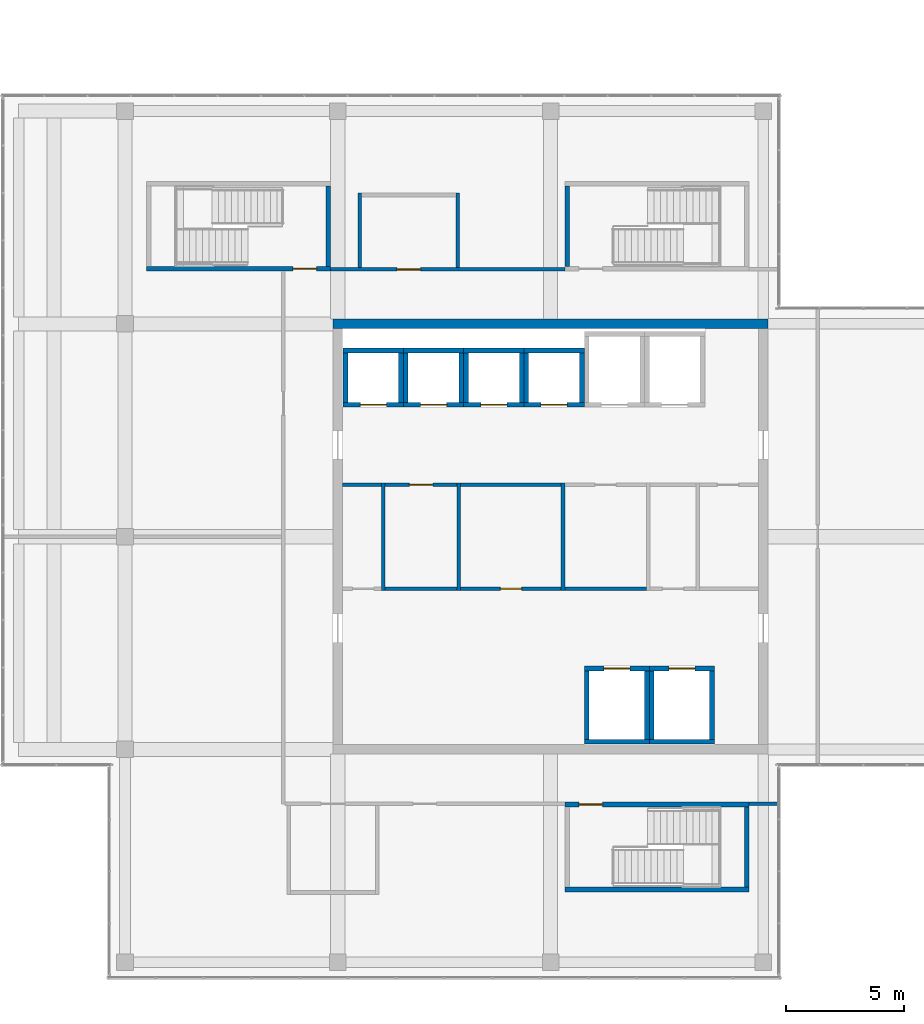
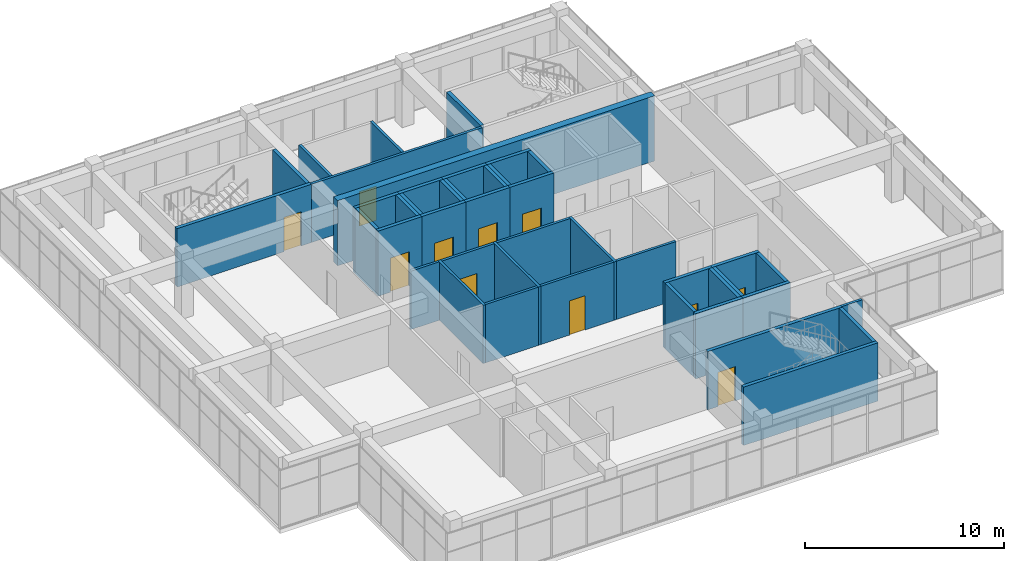
# One storey, part 29 of 32: 44 walls, 11 doors, 11 openings.
"""IFC4 building model written with IfcOpenShell, lengths in metres."""

from ifc_helpers import new_model, si_unit, direction, frame, frame_2d, origin, place, context, subcontext, project, spatial, rectangle, extrude, material, layer, layer_set, type_object, element, fill, save


model = new_model("IFC4")

# Units and contexts
model_context = context("Model", 3, precision=1e-05, world=origin(), true_north=direction((0.0, 1.0)))
body_context = subcontext(model_context, "Body", "Model", "MODEL_VIEW")
ifc_project = project(units=[si_unit("LENGTHUNIT", "METRE"), si_unit("AREAUNIT", "SQUARE_METRE"), si_unit("VOLUMEUNIT", "CUBIC_METRE"), si_unit("PLANEANGLEUNIT", "RADIAN"), si_unit("MASSUNIT", "GRAM", prefix="KILO")], contexts=[model_context])

# Site, building, storey
site_placement = place(None, origin())
site = spatial("IfcSite", under=ifc_project, at=site_placement, CompositionType="ELEMENT")
building_placement = place(site_placement, origin())
building = spatial("IfcBuilding", under=site, at=building_placement, Name="Tuart Plaza Theatre", CompositionType="ELEMENT")
storey_placement = place(building_placement, frame((0.0, 0.0, 37.5)))
storey = spatial("IfcBuildingStorey", under=building, at=storey_placement, Name="L09", CompositionType="ELEMENT", Elevation=37.5)

# Walls
ifc_material_1 = material(Name="Masonry block", Category="masonry")
ifc_layer_1 = layer(ifc_material_1, 0.14990234375)
ifc_layer_set_1 = layer_set([ifc_layer_1], Name="PARTITION BLK150 MASONRYB FRL -/120/120")
wall_type_1 = type_object("IfcWallType", Name="PARTITION BLK150 MASONRYB FRL -/120/120", PredefinedType="PARTITIONING", material=ifc_layer_set_1)
wall_1_placement = place(storey_placement, frame((124.925048828125, 71.72509765625, 0.0), z_axis=(0.0, 0.0, 1.0), x_axis=(0.0, 1.0, 0.0)))
element("IfcWall", 1, at=wall_1_placement, inside=storey, type_object=wall_type_1, Name="P636", PredefinedType="PARTITIONING", context=body_context, shape_type="SweptSolid", body=[
    extrude(rectangle(XDim=4.5498046875, YDim=0.14990234375, at=frame_2d((2.27490234375, 0.0))), origin(), (0.0, 0.0, 1.0), 3.580078125),
])
wall_2_placement = place(storey_placement, frame((123.199951171875, 76.199951171875, 0.0), z_axis=(0.0, 0.0, 1.0), x_axis=(1.0, 0.0, 0.0)))
element("IfcWall", 2, at=wall_2_placement, inside=storey, type_object=wall_type_1, Name="P638", PredefinedType="PARTITIONING", context=body_context, shape_type="SweptSolid", body=[
    extrude(rectangle(XDim=1.650146484375, YDim=0.14990234375, at=frame_2d((0.8251953125, 0.0))), origin(), (0.0, 0.0, 1.0), 3.580078125),
])
wall_3_placement = place(storey_placement, frame((128.125, 71.72509765625, 0.0), z_axis=(0.0, 0.0, 1.0), x_axis=(0.0, 1.0, 0.0)))
element("IfcWall", 3, at=wall_3_placement, inside=storey, type_object=wall_type_1, Name="P639", PredefinedType="PARTITIONING", context=body_context, shape_type="SweptSolid", body=[
    extrude(rectangle(XDim=4.5498046875, YDim=0.14990234375, at=frame_2d((2.27490234375, 0.0))), origin(), (0.0, 0.0, 1.0), 3.580078125),
])
wall_4_placement = place(storey_placement, frame((125.0, 71.800048828125, 0.0), z_axis=(0.0, 0.0, 1.0), x_axis=(1.0, 0.0, 0.0)))
element("IfcWall", 4, at=wall_4_placement, inside=storey, type_object=wall_type_1, Name="P640", PredefinedType="PARTITIONING", context=body_context, shape_type="SweptSolid", body=[
    extrude(rectangle(XDim=3.050048828125, YDim=0.14990234375, at=frame_2d((1.52490234375, 0.0))), origin(), (0.0, 0.0, 1.0), 3.580078125),
])

# Wall, opening, door
wall_5_placement = place(storey_placement, frame((125.0, 76.199951171875, 0.0), z_axis=(0.0, 0.0, 1.0), x_axis=(1.0, 0.0, 0.0)))
wall_5 = element("IfcWall", 5, at=wall_5_placement, inside=storey, type_object=wall_type_1, Name="P641", PredefinedType="PARTITIONING", context=body_context, shape_type="SweptSolid", body=[
    extrude(rectangle(XDim=3.050048828125, YDim=0.14990234375, at=frame_2d((1.52490234375, 0.0))), origin(), (0.0, 0.0, 1.0), 3.580078125),
])
opening_1_placement = place(wall_5_placement, frame((1.02490234375, 0.0, 0.0)))
opening_1 = element("IfcOpeningElement", 6, at=opening_1_placement, cuts=wall_5, Name="Opening L09-017", PredefinedType="OPENING", context=body_context, shape_type="SweptSolid", body=[
    extrude(rectangle(XDim=1.0, YDim=2.10009765625, at=frame_2d((0.5, 1.050048828125))), frame((0.0, 0.0849609375, 0.0), z_axis=(0.0, -1.0, 0.0), x_axis=(1.0, 0.0, 0.0)), (0.0, 0.0, 1.0), 0.169921875),
])
ifc_material_2 = material(Name="Steel Grade 300", Category="steel")
door_type_1 = type_object("IfcDoorType", Name="DOOR 1000x2100 steel single swing FRL -/120/30", OperationType="SINGLE_SWING_LEFT", PredefinedType="DOOR", material=ifc_material_2)
door_1_placement = place(opening_1_placement, frame((1.0, 0.0, 0.0), z_axis=(0.0, 0.0, 1.0), x_axis=(-1.0, 0.0, 0.0)))
door_1 = element("IfcDoor", 7, at=door_1_placement, inside=storey, type_object=door_type_1, Name="L09-017", OperationType="SINGLE_SWING_LEFT", OverallHeight=2.10009765625, OverallWidth=1.0, PredefinedType="DOOR", context=body_context, shape_type="SweptSolid", body=[
    extrude(rectangle(XDim=1.0, YDim=2.10009765625, at=frame_2d((0.5, 1.050048828125))), frame((0.0, 0.02490234375, 0.0), z_axis=(0.0, -1.0, 0.0), x_axis=(1.0, 0.0, 0.0)), (0.0, 0.0, 1.0), 0.050048828125),
])
fill(opening_1, door_1)

# Wall
wall_6_placement = place(storey_placement, frame((132.52490234375, 71.72509765625, 0.0), z_axis=(0.0, 0.0, 1.0), x_axis=(0.0, 1.0, 0.0)))
element("IfcWall", 8, at=wall_6_placement, inside=storey, type_object=wall_type_1, Name="P642", PredefinedType="PARTITIONING", context=body_context, shape_type="SweptSolid", body=[
    extrude(rectangle(XDim=4.5498046875, YDim=0.14990234375, at=frame_2d((2.27490234375, 0.0))), origin(), (0.0, 0.0, 1.0), 3.580078125),
])

# Wall, opening, door
wall_7_placement = place(storey_placement, frame((128.199951171875, 71.800048828125, 0.0), z_axis=(0.0, 0.0, 1.0), x_axis=(1.0, 0.0, 0.0)))
wall_7 = element("IfcWall", 9, at=wall_7_placement, inside=storey, type_object=wall_type_1, Name="P643", PredefinedType="PARTITIONING", context=body_context, shape_type="SweptSolid", body=[
    extrude(rectangle(XDim=4.25, YDim=0.14990234375, at=frame_2d((2.125, 0.0))), origin(), (0.0, 0.0, 1.0), 3.580078125),
])
opening_2_placement = place(wall_7_placement, frame((1.675048828125, 0.0, 0.0)))
opening_2 = element("IfcOpeningElement", 10, at=opening_2_placement, cuts=wall_7, Name="Opening L09-018", PredefinedType="OPENING", context=body_context, shape_type="SweptSolid", body=[
    extrude(rectangle(XDim=0.89990234375, YDim=2.10009765625, at=frame_2d((0.449951171875, 1.050048828125))), frame((0.0, 0.0849609375, 0.0), z_axis=(0.0, -1.0, 0.0), x_axis=(1.0, 0.0, 0.0)), (0.0, 0.0, 1.0), 0.169921875),
])
ifc_material_3 = material(Name="Steel Grade 300", Category="steel")
door_type_2 = type_object("IfcDoorType", Name="DOOR 900x2100 steel single swing FRL -/120/30", OperationType="SINGLE_SWING_LEFT", PredefinedType="DOOR", material=ifc_material_3)
door_2_placement = place(opening_2_placement, origin())
door_2 = element("IfcDoor", 11, at=door_2_placement, inside=storey, type_object=door_type_2, Name="L09-018", OperationType="SINGLE_SWING_RIGHT", OverallHeight=2.10009765625, OverallWidth=0.89990234375, PredefinedType="DOOR", context=body_context, shape_type="SweptSolid", body=[
    extrude(rectangle(XDim=0.89990234375, YDim=2.10009765625, at=frame_2d((0.449951171875, 1.050048828125))), frame((0.0, 0.02490234375, 0.0), z_axis=(0.0, -1.0, 0.0), x_axis=(1.0, 0.0, 0.0)), (0.0, 0.0, 1.0), 0.050048828125),
])
fill(opening_2, door_2)

# Walls
wall_8_placement = place(storey_placement, frame((128.199951171875, 76.199951171875, 0.0), z_axis=(0.0, 0.0, 1.0), x_axis=(1.0, 0.0, 0.0)))
element("IfcWall", 12, at=wall_8_placement, inside=storey, type_object=wall_type_1, Name="P644", PredefinedType="PARTITIONING", context=body_context, shape_type="SweptSolid", body=[
    extrude(rectangle(XDim=4.25, YDim=0.14990234375, at=frame_2d((2.125, 0.0))), origin(), (0.0, 0.0, 1.0), 3.580078125),
])
wall_9_placement = place(storey_placement, frame((132.60009765625, 71.800048828125, 0.0), z_axis=(0.0, 0.0, 1.0), x_axis=(1.0, 0.0, 0.0)))
element("IfcWall", 13, at=wall_9_placement, inside=storey, type_object=wall_type_1, Name="P646", PredefinedType="PARTITIONING", context=body_context, shape_type="SweptSolid", body=[
    extrude(rectangle(XDim=3.449951171875, YDim=0.14990234375, at=frame_2d((1.72509765625, 0.0))), origin(), (0.0, 0.0, 1.0), 3.580078125),
])
ifc_material_4 = material(Name="Masonry block", Category="masonry")
ifc_layer_2 = layer(ifc_material_4, 0.14990234375)
ifc_layer_set_2 = layer_set([ifc_layer_2], Name="PARTITION BLK150 MASONRYB FRL 120/-/-")
wall_type_2 = type_object("IfcWallType", Name="PARTITION BLK150 MASONRYB FRL 120/-/-", PredefinedType="PARTITIONING", material=ifc_layer_set_2)
wall_10_placement = place(storey_placement, frame((141.60009765625, 62.699951171875, 0.0), z_axis=(0.0, 0.0, 1.0), x_axis=(-1.0, 0.0, 0.0)))
element("IfcWall", 14, at=wall_10_placement, inside=storey, type_object=wall_type_2, Name="P655", PredefinedType="PARTITIONING", context=body_context, shape_type="SweptSolid", body=[
    extrude(rectangle(XDim=1.2001953125, YDim=0.14990234375, at=frame_2d((0.60009765625, 0.0))), origin(), (0.0, 0.0, 1.0), 3.580078125),
])

# Wall, opening, door
wall_11_placement = place(storey_placement, frame((122.699951171875, 85.300048828125, 0.0), z_axis=(0.0, 0.0, 1.0), x_axis=(1.0, 0.0, 0.0)))
wall_11 = element("IfcWall", 15, at=wall_11_placement, inside=storey, type_object=wall_type_2, Name="P657", PredefinedType="PARTITIONING", context=body_context, shape_type="SweptSolid", body=[
    extrude(rectangle(XDim=9.900146484375, YDim=0.14990234375, at=frame_2d((4.9501953125, 0.0))), origin(), (0.0, 0.0, 1.0), 3.580078125),
])
opening_3_placement = place(wall_11_placement, frame((2.800048828125, 0.0, 0.0)))
opening_3 = element("IfcOpeningElement", 16, at=opening_3_placement, cuts=wall_11, Name="Opening L09-023", PredefinedType="OPENING", context=body_context, shape_type="SweptSolid", body=[
    extrude(rectangle(XDim=1.0, YDim=2.10009765625, at=frame_2d((0.5, 1.050048828125))), frame((0.0, 0.0849609375, 0.0), z_axis=(0.0, -1.0, 0.0), x_axis=(1.0, 0.0, 0.0)), (0.0, 0.0, 1.0), 0.169921875),
])
ifc_material_5 = material(Name="Timber", Category="wood")
door_type_3 = type_object("IfcDoorType", Name="DOOR 1000x2100 timber single swing FRL -/60/30", OperationType="SINGLE_SWING_LEFT", PredefinedType="DOOR", material=ifc_material_5)
door_3_placement = place(opening_3_placement, origin())
door_3 = element("IfcDoor", 17, at=door_3_placement, inside=storey, type_object=door_type_3, Name="L09-023", OperationType="SINGLE_SWING_LEFT", OverallHeight=2.10009765625, OverallWidth=1.0, PredefinedType="DOOR", context=body_context, shape_type="SweptSolid", body=[
    extrude(rectangle(XDim=1.0, YDim=2.10009765625, at=frame_2d((0.5, 1.050048828125))), frame((0.0, 0.02490234375, 0.0), z_axis=(0.0, -1.0, 0.0), x_axis=(1.0, 0.0, 0.0)), (0.0, 0.0, 1.0), 0.050048828125),
])
fill(opening_3, door_3)

# Walls
for number, where, z_axis, x_axis, name in (
    (18, (123.925048828125, 85.375, 0.0), (0.0, 0.0, 1.0), (0.0, 1.0, 0.0), "P664"),
    (19, (128.074951171875, 85.375, 0.0), (0.0, 0.0, 1.0), (0.0, 1.0, 0.0), "P665"),
):
    element("IfcWall", number, at=place(storey_placement, frame(where, z_axis=z_axis, x_axis=x_axis)), inside=storey, type_object=wall_type_2, Name=name, PredefinedType="PARTITIONING", context=body_context, shape_type="SweptSolid", body=[
        extrude(rectangle(XDim=3.14990234375, YDim=0.14990234375, at=frame_2d((1.574951171875, 0.0))), origin(), (0.0, 0.0, 1.0), 3.580078125),
    ])

# Wall, opening, door
ifc_material_6 = material(Name="Concrete N40 (40 MPa)", Category="concrete")
ifc_layer_3 = layer(ifc_material_6, 0.199951171875)
ifc_layer_set_3 = layer_set([ifc_layer_3], Name="SHEAR WALL RC200 FRL 120/120/120")
wall_type_3 = type_object("IfcWallType", Name="SHEAR WALL RC200 FRL 120/120/120", PredefinedType="SHEAR", material=ifc_layer_set_3)
wall_12_placement = place(storey_placement, frame((123.22509765625, 79.574951171875, 0.0), z_axis=(0.0, 0.0, 1.0), x_axis=(1.0, 0.0, 0.0)))
wall_12 = element("IfcWall", 20, at=wall_12_placement, inside=storey, type_object=wall_type_3, Name="W762", PredefinedType="SHEAR", context=body_context, shape_type="SweptSolid", body=[
    extrude(rectangle(XDim=2.5498046875, YDim=0.199951171875, at=frame_2d((1.27490234375, 0.0))), origin(), (0.0, 0.0, 1.0), 4.0),
])
opening_4_placement = place(wall_12_placement, frame((0.72509765625, 0.0, 0.0)))
opening_4 = element("IfcOpeningElement", 21, at=opening_4_placement, cuts=wall_12, Name="Opening L09-001", PredefinedType="OPENING", context=body_context, shape_type="SweptSolid", body=[
    extrude(rectangle(XDim=1.10009765625, YDim=2.10009765625, at=frame_2d((0.550048828125, 1.050048828125))), frame((0.0, 0.10986328125, 0.0), z_axis=(0.0, -1.0, 0.0), x_axis=(1.0, 0.0, 0.0)), (0.0, 0.0, 1.0), 0.219970703125),
])
ifc_material_7 = material(Name="Steel Grade 300", Category="steel")
door_type_4 = type_object("IfcDoorType", Name="LANDING DOOR 1100x2100 steel sliding FRL -/120/30", OperationType="SLIDING_TO_LEFT", PredefinedType="DOOR", material=ifc_material_7)
door_4_placement = place(opening_4_placement, origin())
door_4 = element("IfcDoor", 22, at=door_4_placement, inside=storey, type_object=door_type_4, Name="L09-001", OperationType="SLIDING_TO_LEFT", OverallHeight=2.10009765625, OverallWidth=1.10009765625, PredefinedType="DOOR", context=body_context, shape_type="SweptSolid", body=[
    extrude(rectangle(XDim=1.10009765625, YDim=2.10009765625, at=frame_2d((0.550048828125, 1.050048828125))), frame((0.0, 0.02490234375, 0.0), z_axis=(0.0, -1.0, 0.0), x_axis=(1.0, 0.0, 0.0)), (0.0, 0.0, 1.0), 0.050048828125),
])
fill(opening_4, door_4)

# Walls
wall_13_placement = place(storey_placement, frame((125.675048828125, 79.675048828125, 0.0), z_axis=(0.0, 0.0, 1.0), x_axis=(0.0, 1.0, 0.0)))
element("IfcWall", 23, at=wall_13_placement, inside=storey, type_object=wall_type_3, Name="W763", PredefinedType="SHEAR", context=body_context, shape_type="SweptSolid", body=[
    extrude(rectangle(XDim=2.099853515625, YDim=0.199951171875, at=frame_2d((1.0498046875, 0.0))), origin(), (0.0, 0.0, 1.0), 4.0),
])
wall_14_placement = place(storey_placement, frame((125.77490234375, 81.875, 0.0), z_axis=(0.0, 0.0, 1.0), x_axis=(-1.0, 0.0, 0.0)))
element("IfcWall", 24, at=wall_14_placement, inside=storey, type_object=wall_type_3, Name="W764", PredefinedType="SHEAR", context=body_context, shape_type="SweptSolid", body=[
    extrude(rectangle(XDim=2.5498046875, YDim=0.199951171875, at=frame_2d((1.27490234375, 0.0))), origin(), (0.0, 0.0, 1.0), 4.0),
])
wall_15_placement = place(storey_placement, frame((123.324951171875, 81.77490234375, 0.0), z_axis=(0.0, 0.0, 1.0), x_axis=(0.0, -1.0, 0.0)))
element("IfcWall", 25, at=wall_15_placement, inside=storey, type_object=wall_type_3, Name="W765", PredefinedType="SHEAR", context=body_context, shape_type="SweptSolid", body=[
    extrude(rectangle(XDim=2.099853515625, YDim=0.199951171875, at=frame_2d((1.0498046875, 0.0))), origin(), (0.0, 0.0, 1.0), 4.0),
])

# Wall, opening, door
wall_16_placement = place(storey_placement, frame((125.77490234375, 79.574951171875, 0.0), z_axis=(0.0, 0.0, 1.0), x_axis=(1.0, 0.0, 0.0)))
wall_16 = element("IfcWall", 26, at=wall_16_placement, inside=storey, type_object=wall_type_3, Name="W834", PredefinedType="SHEAR", context=body_context, shape_type="SweptSolid", body=[
    extrude(rectangle(XDim=2.550048828125, YDim=0.199951171875, at=frame_2d((1.27490234375, 0.0))), origin(), (0.0, 0.0, 1.0), 4.0),
])
opening_5_placement = place(wall_16_placement, frame((0.72509765625, 0.0, 0.0)))
opening_5 = element("IfcOpeningElement", 27, at=opening_5_placement, cuts=wall_16, Name="Opening L09-002", PredefinedType="OPENING", context=body_context, shape_type="SweptSolid", body=[
    extrude(rectangle(XDim=1.10009765625, YDim=2.10009765625, at=frame_2d((0.550048828125, 1.050048828125))), frame((0.0, 0.10986328125, 0.0), z_axis=(0.0, -1.0, 0.0), x_axis=(1.0, 0.0, 0.0)), (0.0, 0.0, 1.0), 0.219970703125),
])
door_5_placement = place(opening_5_placement, origin())
door_5 = element("IfcDoor", 28, at=door_5_placement, inside=storey, type_object=door_type_4, Name="L09-002", OperationType="SLIDING_TO_LEFT", OverallHeight=2.10009765625, OverallWidth=1.10009765625, PredefinedType="DOOR", context=body_context, shape_type="SweptSolid", body=[
    extrude(rectangle(XDim=1.10009765625, YDim=2.10009765625, at=frame_2d((0.550048828125, 1.050048828125))), frame((0.0, 0.02490234375, 0.0), z_axis=(0.0, -1.0, 0.0), x_axis=(1.0, 0.0, 0.0)), (0.0, 0.0, 1.0), 0.050048828125),
])
fill(opening_5, door_5)

# Walls
wall_17_placement = place(storey_placement, frame((128.22509765625, 79.675048828125, 0.0), z_axis=(0.0, 0.0, 1.0), x_axis=(0.0, 1.0, 0.0)))
element("IfcWall", 29, at=wall_17_placement, inside=storey, type_object=wall_type_3, Name="W835", PredefinedType="SHEAR", context=body_context, shape_type="SweptSolid", body=[
    extrude(rectangle(XDim=2.099853515625, YDim=0.199951171875, at=frame_2d((1.0498046875, 0.0))), origin(), (0.0, 0.0, 1.0), 4.0),
])
wall_18_placement = place(storey_placement, frame((128.324951171875, 81.875, 0.0), z_axis=(0.0, 0.0, 1.0), x_axis=(-1.0, 0.0, 0.0)))
element("IfcWall", 30, at=wall_18_placement, inside=storey, type_object=wall_type_3, Name="W836", PredefinedType="SHEAR", context=body_context, shape_type="SweptSolid", body=[
    extrude(rectangle(XDim=2.550048828125, YDim=0.199951171875, at=frame_2d((1.27490234375, 0.0))), origin(), (0.0, 0.0, 1.0), 4.0),
])
wall_19_placement = place(storey_placement, frame((125.875, 81.77490234375, 0.0), z_axis=(0.0, 0.0, 1.0), x_axis=(0.0, -1.0, 0.0)))
element("IfcWall", 31, at=wall_19_placement, inside=storey, type_object=wall_type_3, Name="W837", PredefinedType="SHEAR", context=body_context, shape_type="SweptSolid", body=[
    extrude(rectangle(XDim=2.099853515625, YDim=0.199951171875, at=frame_2d((1.0498046875, 0.0))), origin(), (0.0, 0.0, 1.0), 4.0),
])

# Wall, opening, door
wall_20_placement = place(storey_placement, frame((128.324951171875, 79.574951171875, 0.0), z_axis=(0.0, 0.0, 1.0), x_axis=(1.0, 0.0, 0.0)))
wall_20 = element("IfcWall", 32, at=wall_20_placement, inside=storey, type_object=wall_type_3, Name="W906", PredefinedType="SHEAR", context=body_context, shape_type="SweptSolid", body=[
    extrude(rectangle(XDim=2.550048828125, YDim=0.199951171875, at=frame_2d((1.27490234375, 0.0))), origin(), (0.0, 0.0, 1.0), 4.0),
])
opening_6_placement = place(wall_20_placement, frame((0.72509765625, 0.0, 0.0)))
opening_6 = element("IfcOpeningElement", 33, at=opening_6_placement, cuts=wall_20, Name="Opening L09-003", PredefinedType="OPENING", context=body_context, shape_type="SweptSolid", body=[
    extrude(rectangle(XDim=1.10009765625, YDim=2.10009765625, at=frame_2d((0.550048828125, 1.050048828125))), frame((0.0, 0.10986328125, 0.0), z_axis=(0.0, -1.0, 0.0), x_axis=(1.0, 0.0, 0.0)), (0.0, 0.0, 1.0), 0.219970703125),
])
door_6_placement = place(opening_6_placement, origin())
door_6 = element("IfcDoor", 34, at=door_6_placement, inside=storey, type_object=door_type_4, Name="L09-003", OperationType="SLIDING_TO_LEFT", OverallHeight=2.10009765625, OverallWidth=1.10009765625, PredefinedType="DOOR", context=body_context, shape_type="SweptSolid", body=[
    extrude(rectangle(XDim=1.10009765625, YDim=2.10009765625, at=frame_2d((0.550048828125, 1.050048828125))), frame((0.0, 0.02490234375, 0.0), z_axis=(0.0, -1.0, 0.0), x_axis=(1.0, 0.0, 0.0)), (0.0, 0.0, 1.0), 0.050048828125),
])
fill(opening_6, door_6)

# Walls
wall_21_placement = place(storey_placement, frame((130.77490234375, 79.675048828125, 0.0), z_axis=(0.0, 0.0, 1.0), x_axis=(0.0, 1.0, 0.0)))
element("IfcWall", 35, at=wall_21_placement, inside=storey, type_object=wall_type_3, Name="W907", PredefinedType="SHEAR", context=body_context, shape_type="SweptSolid", body=[
    extrude(rectangle(XDim=2.099853515625, YDim=0.199951171875, at=frame_2d((1.0498046875, 0.0))), origin(), (0.0, 0.0, 1.0), 4.0),
])
wall_22_placement = place(storey_placement, frame((130.875, 81.875, 0.0), z_axis=(0.0, 0.0, 1.0), x_axis=(-1.0, 0.0, 0.0)))
element("IfcWall", 36, at=wall_22_placement, inside=storey, type_object=wall_type_3, Name="W908", PredefinedType="SHEAR", context=body_context, shape_type="SweptSolid", body=[
    extrude(rectangle(XDim=2.550048828125, YDim=0.199951171875, at=frame_2d((1.27490234375, 0.0))), origin(), (0.0, 0.0, 1.0), 4.0),
])
wall_23_placement = place(storey_placement, frame((128.425048828125, 81.77490234375, 0.0), z_axis=(0.0, 0.0, 1.0), x_axis=(0.0, -1.0, 0.0)))
element("IfcWall", 37, at=wall_23_placement, inside=storey, type_object=wall_type_3, Name="W909", PredefinedType="SHEAR", context=body_context, shape_type="SweptSolid", body=[
    extrude(rectangle(XDim=2.099853515625, YDim=0.199951171875, at=frame_2d((1.0498046875, 0.0))), origin(), (0.0, 0.0, 1.0), 4.0),
])

# Wall, opening, door
wall_24_placement = place(storey_placement, frame((130.875, 79.574951171875, 0.0), z_axis=(0.0, 0.0, 1.0), x_axis=(1.0, 0.0, 0.0)))
wall_24 = element("IfcWall", 38, at=wall_24_placement, inside=storey, type_object=wall_type_3, Name="W978", PredefinedType="SHEAR", context=body_context, shape_type="SweptSolid", body=[
    extrude(rectangle(XDim=2.550048828125, YDim=0.199951171875, at=frame_2d((1.27490234375, 0.0))), origin(), (0.0, 0.0, 1.0), 4.0),
])
opening_7_placement = place(wall_24_placement, frame((0.72509765625, 0.0, 0.0)))
opening_7 = element("IfcOpeningElement", 39, at=opening_7_placement, cuts=wall_24, Name="Opening L09-004", PredefinedType="OPENING", context=body_context, shape_type="SweptSolid", body=[
    extrude(rectangle(XDim=1.10009765625, YDim=2.10009765625, at=frame_2d((0.550048828125, 1.050048828125))), frame((0.0, 0.10986328125, 0.0), z_axis=(0.0, -1.0, 0.0), x_axis=(1.0, 0.0, 0.0)), (0.0, 0.0, 1.0), 0.219970703125),
])
door_7_placement = place(opening_7_placement, origin())
door_7 = element("IfcDoor", 40, at=door_7_placement, inside=storey, type_object=door_type_4, Name="L09-004", OperationType="SLIDING_TO_LEFT", OverallHeight=2.10009765625, OverallWidth=1.10009765625, PredefinedType="DOOR", context=body_context, shape_type="SweptSolid", body=[
    extrude(rectangle(XDim=1.10009765625, YDim=2.10009765625, at=frame_2d((0.550048828125, 1.050048828125))), frame((0.0, 0.02490234375, 0.0), z_axis=(0.0, -1.0, 0.0), x_axis=(1.0, 0.0, 0.0)), (0.0, 0.0, 1.0), 0.050048828125),
])
fill(opening_7, door_7)

# Walls
wall_25_placement = place(storey_placement, frame((133.324951171875, 79.675048828125, 0.0), z_axis=(0.0, 0.0, 1.0), x_axis=(0.0, 1.0, 0.0)))
element("IfcWall", 41, at=wall_25_placement, inside=storey, type_object=wall_type_3, Name="W979", PredefinedType="SHEAR", context=body_context, shape_type="SweptSolid", body=[
    extrude(rectangle(XDim=2.099853515625, YDim=0.199951171875, at=frame_2d((1.0498046875, 0.0))), origin(), (0.0, 0.0, 1.0), 4.0),
])
wall_26_placement = place(storey_placement, frame((133.425048828125, 81.875, 0.0), z_axis=(0.0, 0.0, 1.0), x_axis=(-1.0, 0.0, 0.0)))
element("IfcWall", 42, at=wall_26_placement, inside=storey, type_object=wall_type_3, Name="W980", PredefinedType="SHEAR", context=body_context, shape_type="SweptSolid", body=[
    extrude(rectangle(XDim=2.550048828125, YDim=0.199951171875, at=frame_2d((1.27490234375, 0.0))), origin(), (0.0, 0.0, 1.0), 4.0),
])
wall_27_placement = place(storey_placement, frame((130.97509765625, 81.77490234375, 0.0), z_axis=(0.0, 0.0, 1.0), x_axis=(0.0, -1.0, 0.0)))
element("IfcWall", 43, at=wall_27_placement, inside=storey, type_object=wall_type_3, Name="W981", PredefinedType="SHEAR", context=body_context, shape_type="SweptSolid", body=[
    extrude(rectangle(XDim=2.099853515625, YDim=0.199951171875, at=frame_2d((1.0498046875, 0.0))), origin(), (0.0, 0.0, 1.0), 4.0),
])
wall_28_placement = place(storey_placement, frame((133.425048828125, 65.324951171875, 0.0), z_axis=(0.0, 0.0, 1.0), x_axis=(1.0, 0.0, 0.0)))
element("IfcWall", 44, at=wall_28_placement, inside=storey, type_object=wall_type_3, Name="W1050", PredefinedType="SHEAR", context=body_context, shape_type="SweptSolid", body=[
    extrude(rectangle(XDim=2.75, YDim=0.199951171875, at=frame_2d((1.375, 0.0))), origin(), (0.0, 0.0, 1.0), 4.0),
])
wall_29_placement = place(storey_placement, frame((136.074951171875, 65.425048828125, 0.0), z_axis=(0.0, 0.0, 1.0), x_axis=(0.0, 1.0, 0.0)))
element("IfcWall", 45, at=wall_29_placement, inside=storey, type_object=wall_type_3, Name="W1051", PredefinedType="SHEAR", context=body_context, shape_type="SweptSolid", body=[
    extrude(rectangle(XDim=2.89990234375, YDim=0.199951171875, at=frame_2d((1.449951171875, 0.0))), origin(), (0.0, 0.0, 1.0), 4.0),
])

# Wall, opening, door
wall_30_placement = place(storey_placement, frame((136.175048828125, 68.425048828125, 0.0), z_axis=(0.0, 0.0, 1.0), x_axis=(-1.0, 0.0, 0.0)))
wall_30 = element("IfcWall", 46, at=wall_30_placement, inside=storey, type_object=wall_type_3, Name="W1052", PredefinedType="SHEAR", context=body_context, shape_type="SweptSolid", body=[
    extrude(rectangle(XDim=2.75, YDim=0.199951171875, at=frame_2d((1.375, 0.0))), origin(), (0.0, 0.0, 1.0), 4.0),
])
opening_8_placement = place(wall_30_placement, frame((0.824951171875, 0.0, 0.0)))
opening_8 = element("IfcOpeningElement", 47, at=opening_8_placement, cuts=wall_30, Name="Opening L09-005", PredefinedType="OPENING", context=body_context, shape_type="SweptSolid", body=[
    extrude(rectangle(XDim=1.10009765625, YDim=2.10009765625, at=frame_2d((0.550048828125, 1.050048828125))), frame((0.0, 0.10986328125, 0.0), z_axis=(0.0, -1.0, 0.0), x_axis=(1.0, 0.0, 0.0)), (0.0, 0.0, 1.0), 0.219970703125),
])
door_8_placement = place(opening_8_placement, origin())
door_8 = element("IfcDoor", 48, at=door_8_placement, inside=storey, type_object=door_type_4, Name="L09-005", OperationType="SLIDING_TO_LEFT", OverallHeight=2.10009765625, OverallWidth=1.10009765625, PredefinedType="DOOR", context=body_context, shape_type="SweptSolid", body=[
    extrude(rectangle(XDim=1.10009765625, YDim=2.10009765625, at=frame_2d((0.550048828125, 1.050048828125))), frame((0.0, 0.02490234375, 0.0), z_axis=(0.0, -1.0, 0.0), x_axis=(1.0, 0.0, 0.0)), (0.0, 0.0, 1.0), 0.050048828125),
])
fill(opening_8, door_8)

# Walls
wall_31_placement = place(storey_placement, frame((133.52490234375, 68.324951171875, 0.0), z_axis=(0.0, 0.0, 1.0), x_axis=(0.0, -1.0, 0.0)))
element("IfcWall", 49, at=wall_31_placement, inside=storey, type_object=wall_type_3, Name="W1053", PredefinedType="SHEAR", context=body_context, shape_type="SweptSolid", body=[
    extrude(rectangle(XDim=2.89990234375, YDim=0.199951171875, at=frame_2d((1.449951171875, 0.0))), origin(), (0.0, 0.0, 1.0), 4.0),
])
wall_32_placement = place(storey_placement, frame((136.175048828125, 65.324951171875, 0.0), z_axis=(0.0, 0.0, 1.0), x_axis=(1.0, 0.0, 0.0)))
element("IfcWall", 50, at=wall_32_placement, inside=storey, type_object=wall_type_3, Name="W1126", PredefinedType="SHEAR", context=body_context, shape_type="SweptSolid", body=[
    extrude(rectangle(XDim=2.75, YDim=0.199951171875, at=frame_2d((1.375, 0.0))), origin(), (0.0, 0.0, 1.0), 4.0),
])
wall_33_placement = place(storey_placement, frame((138.824951171875, 65.425048828125, 0.0), z_axis=(0.0, 0.0, 1.0), x_axis=(0.0, 1.0, 0.0)))
element("IfcWall", 51, at=wall_33_placement, inside=storey, type_object=wall_type_3, Name="W1127", PredefinedType="SHEAR", context=body_context, shape_type="SweptSolid", body=[
    extrude(rectangle(XDim=2.89990234375, YDim=0.199951171875, at=frame_2d((1.449951171875, 0.0))), origin(), (0.0, 0.0, 1.0), 4.0),
])

# Wall, opening, door
wall_34_placement = place(storey_placement, frame((138.925048828125, 68.425048828125, 0.0), z_axis=(0.0, 0.0, 1.0), x_axis=(-1.0, 0.0, 0.0)))
wall_34 = element("IfcWall", 52, at=wall_34_placement, inside=storey, type_object=wall_type_3, Name="W1128", PredefinedType="SHEAR", context=body_context, shape_type="SweptSolid", body=[
    extrude(rectangle(XDim=2.75, YDim=0.199951171875, at=frame_2d((1.375, 0.0))), origin(), (0.0, 0.0, 1.0), 4.0),
])
opening_9_placement = place(wall_34_placement, frame((0.824951171875, 0.0, 0.0)))
opening_9 = element("IfcOpeningElement", 53, at=opening_9_placement, cuts=wall_34, Name="Opening L09-006", PredefinedType="OPENING", context=body_context, shape_type="SweptSolid", body=[
    extrude(rectangle(XDim=1.10009765625, YDim=2.10009765625, at=frame_2d((0.550048828125, 1.050048828125))), frame((0.0, 0.10986328125, 0.0), z_axis=(0.0, -1.0, 0.0), x_axis=(1.0, 0.0, 0.0)), (0.0, 0.0, 1.0), 0.219970703125),
])
door_9_placement = place(opening_9_placement, origin())
door_9 = element("IfcDoor", 54, at=door_9_placement, inside=storey, type_object=door_type_4, Name="L09-006", OperationType="SLIDING_TO_LEFT", OverallHeight=2.10009765625, OverallWidth=1.10009765625, PredefinedType="DOOR", context=body_context, shape_type="SweptSolid", body=[
    extrude(rectangle(XDim=1.10009765625, YDim=2.10009765625, at=frame_2d((0.550048828125, 1.050048828125))), frame((0.0, 0.02490234375, 0.0), z_axis=(0.0, -1.0, 0.0), x_axis=(1.0, 0.0, 0.0)), (0.0, 0.0, 1.0), 0.050048828125),
])
fill(opening_9, door_9)

# Walls
wall_35_placement = place(storey_placement, frame((136.27490234375, 68.324951171875, 0.0), z_axis=(0.0, 0.0, 1.0), x_axis=(0.0, -1.0, 0.0)))
element("IfcWall", 55, at=wall_35_placement, inside=storey, type_object=wall_type_3, Name="W1129", PredefinedType="SHEAR", context=body_context, shape_type="SweptSolid", body=[
    extrude(rectangle(XDim=2.89990234375, YDim=0.199951171875, at=frame_2d((1.449951171875, 0.0))), origin(), (0.0, 0.0, 1.0), 4.0),
])
wall_36_placement = place(storey_placement, frame((132.60009765625, 59.074951171875, 0.0), z_axis=(0.0, 0.0, 1.0), x_axis=(1.0, 0.0, 0.0)))
element("IfcWall", 56, at=wall_36_placement, inside=storey, type_object=wall_type_3, Name="P404", PredefinedType="SHEAR", context=body_context, shape_type="SweptSolid", body=[
    extrude(rectangle(XDim=7.7998046875, YDim=0.199951171875, at=frame_2d((3.89990234375, 0.0))), origin(), (0.0, 0.0, 1.0), 3.580078125),
])
wall_37_placement = place(storey_placement, frame((140.300048828125, 59.175048828125, 0.0), z_axis=(0.0, 0.0, 1.0), x_axis=(0.0, 1.0, 0.0)))
element("IfcWall", 57, at=wall_37_placement, inside=storey, type_object=wall_type_3, Name="P405", PredefinedType="SHEAR", context=body_context, shape_type="SweptSolid", body=[
    extrude(rectangle(XDim=3.39990234375, YDim=0.199951171875, at=frame_2d((1.699951171875, 0.0))), origin(), (0.0, 0.0, 1.0), 3.580078125),
])

# Wall, opening, door
wall_38_placement = place(storey_placement, frame((140.39990234375, 62.675048828125, 0.0), z_axis=(0.0, 0.0, 1.0), x_axis=(-1.0, 0.0, 0.0)))
wall_38 = element("IfcWall", 58, at=wall_38_placement, inside=storey, type_object=wall_type_3, Name="P406", PredefinedType="SHEAR", context=body_context, shape_type="SweptSolid", body=[
    extrude(rectangle(XDim=7.7998046875, YDim=0.199951171875, at=frame_2d((3.89990234375, 0.0))), origin(), (0.0, 0.0, 1.0), 3.580078125),
])
opening_10_placement = place(wall_38_placement, frame((6.199951171875, 0.0, 0.0)))
opening_10 = element("IfcOpeningElement", 59, at=opening_10_placement, cuts=wall_38, Name="Opening L09-009", PredefinedType="OPENING", context=body_context, shape_type="SweptSolid", body=[
    extrude(rectangle(XDim=1.0, YDim=2.10009765625, at=frame_2d((0.5, 1.050048828125))), frame((0.0, 0.10986328125, 0.0), z_axis=(0.0, -1.0, 0.0), x_axis=(1.0, 0.0, 0.0)), (0.0, 0.0, 1.0), 0.219970703125),
])
door_10_placement = place(opening_10_placement, origin())
door_10 = element("IfcDoor", 60, at=door_10_placement, inside=storey, type_object=door_type_1, Name="L09-009", OperationType="SINGLE_SWING_LEFT", OverallHeight=2.10009765625, OverallWidth=1.0, PredefinedType="DOOR", context=body_context, shape_type="SweptSolid", body=[
    extrude(rectangle(XDim=1.0, YDim=2.10009765625, at=frame_2d((0.5, 1.050048828125))), frame((0.0, 0.02490234375, 0.0), z_axis=(0.0, -1.0, 0.0), x_axis=(1.0, 0.0, 0.0)), (0.0, 0.0, 1.0), 0.050048828125),
])
fill(opening_10, door_10)

# Wall
wall_39_placement = place(storey_placement, frame((132.699951171875, 88.824951171875, 0.0), z_axis=(0.0, 0.0, 1.0), x_axis=(0.0, -1.0, 0.0)))
element("IfcWall", 61, at=wall_39_placement, inside=storey, type_object=wall_type_3, Name="P435", PredefinedType="SHEAR", context=body_context, shape_type="SweptSolid", body=[
    extrude(rectangle(XDim=3.39990234375, YDim=0.199951171875, at=frame_2d((1.699951171875, 0.0))), origin(), (0.0, 0.0, 1.0), 3.580078125),
])

# Wall, opening, door
wall_40_placement = place(storey_placement, frame((114.89990234375, 85.324951171875, 0.0), z_axis=(0.0, 0.0, 1.0), x_axis=(1.0, 0.0, 0.0)))
wall_40 = element("IfcWall", 62, at=wall_40_placement, inside=storey, type_object=wall_type_3, Name="P460", PredefinedType="SHEAR", context=body_context, shape_type="SweptSolid", body=[
    extrude(rectangle(XDim=7.800048828125, YDim=0.199951171875, at=frame_2d((3.89990234375, 0.0))), origin(), (0.0, 0.0, 1.0), 3.580078125),
])
opening_11_placement = place(wall_40_placement, frame((6.199951171875, 0.0, 0.0)))
opening_11 = element("IfcOpeningElement", 63, at=opening_11_placement, cuts=wall_40, Name="Opening L09-011", PredefinedType="OPENING", context=body_context, shape_type="SweptSolid", body=[
    extrude(rectangle(XDim=1.0, YDim=2.10009765625, at=frame_2d((0.5, 1.050048828125))), frame((0.0, 0.10986328125, 0.0), z_axis=(0.0, -1.0, 0.0), x_axis=(1.0, 0.0, 0.0)), (0.0, 0.0, 1.0), 0.219970703125),
])
door_11_placement = place(opening_11_placement, origin())
door_11 = element("IfcDoor", 64, at=door_11_placement, inside=storey, type_object=door_type_1, Name="L09-011", OperationType="SINGLE_SWING_LEFT", OverallHeight=2.10009765625, OverallWidth=1.0, PredefinedType="DOOR", context=body_context, shape_type="SweptSolid", body=[
    extrude(rectangle(XDim=1.0, YDim=2.10009765625, at=frame_2d((0.5, 1.050048828125))), frame((0.0, 0.02490234375, 0.0), z_axis=(0.0, -1.0, 0.0), x_axis=(1.0, 0.0, 0.0)), (0.0, 0.0, 1.0), 0.050048828125),
])
fill(opening_11, door_11)

# Walls
wall_41_placement = place(storey_placement, frame((122.60009765625, 85.425048828125, 0.0), z_axis=(0.0, 0.0, 1.0), x_axis=(0.0, 1.0, 0.0)))
element("IfcWall", 65, at=wall_41_placement, inside=storey, type_object=wall_type_3, Name="P461", PredefinedType="SHEAR", context=body_context, shape_type="SweptSolid", body=[
    extrude(rectangle(XDim=3.39990234375, YDim=0.199951171875, at=frame_2d((1.699951171875, 0.0))), origin(), (0.0, 0.0, 1.0), 3.580078125),
])
ifc_material_8 = material(Name="Concrete N50 (50 MPa)", Category="concrete")
ifc_layer_4 = layer(ifc_material_8, 0.39990234375)
ifc_layer_set_4 = layer_set([ifc_layer_4], Name="SHEAR WALL RC400 N50 FRL 120/120/120")
wall_type_4 = type_object("IfcWallType", Name="SHEAR WALL RC400 N50 FRL 120/120/120", PredefinedType="SHEAR", material=ifc_layer_set_4)
wall_42_placement = place(storey_placement, frame((141.199951171875, 83.0, 0.0), z_axis=(0.0, 0.0, 1.0), x_axis=(-1.0, 0.0, 0.0)))
element("IfcWall", 66, at=wall_42_placement, inside=storey, type_object=wall_type_4, Name="W397", PredefinedType="SHEAR", context=body_context, shape_type="SweptSolid", body=[
    extrude(rectangle(XDim=18.39990234375, YDim=0.39990234375, at=frame_2d((9.199951171875, 0.0))), origin(), (0.0, 0.0, 1.0), 4.0),
])

save(model, "model.ifc")
